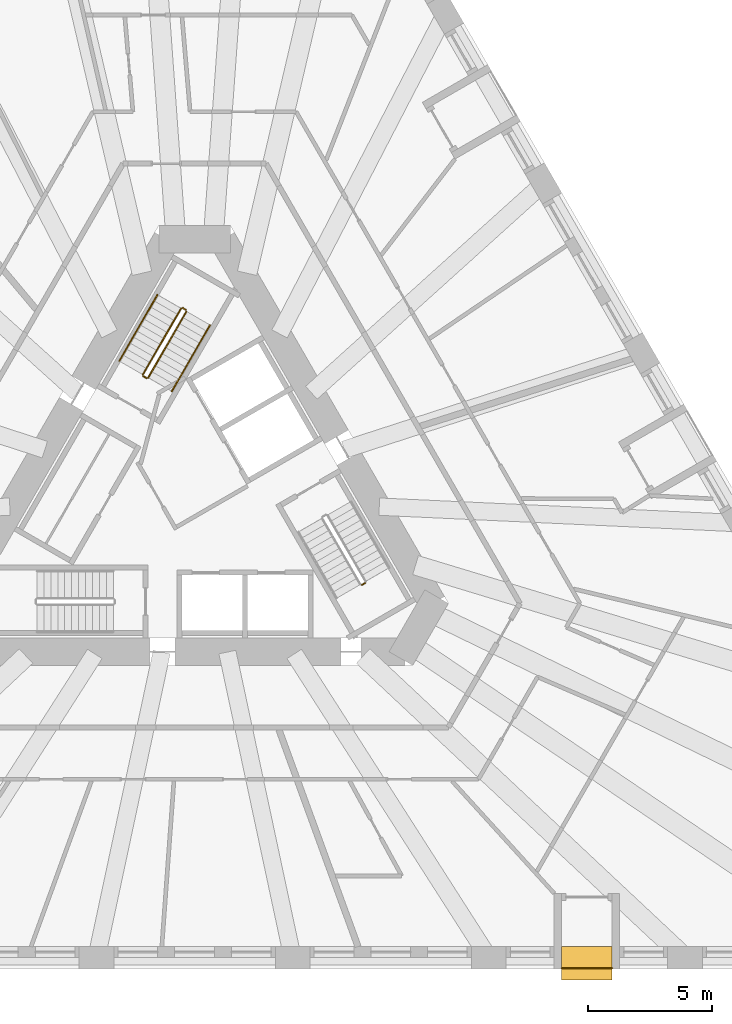
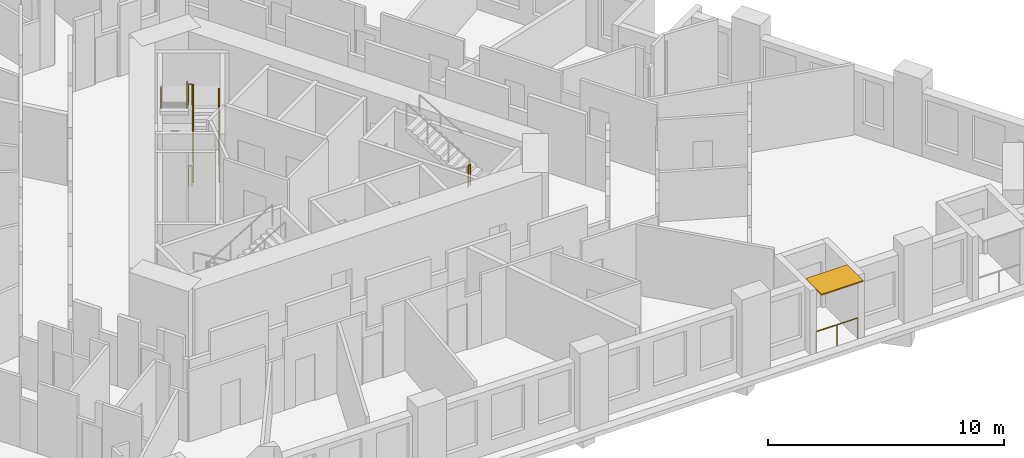
# One storey, part 12 of 14: 8 railings, 1 shading device.
"""IFC4 building model written with IfcOpenShell, lengths in metres."""

from ifc_helpers import new_model, si_unit, direction, frame, origin, origin_2d, place, context, subcontext, project, spatial, rectangle, circle, extrude, material, layer, layer_set, type_object, element, save


model = new_model("IFC4")

# Units and contexts
model_context = context("Model", 3, precision=1e-05, world=origin(), true_north=direction((0.0, 1.0)))
body_context = subcontext(model_context, "Body", "Model", "MODEL_VIEW")
ifc_project = project(units=[si_unit("LENGTHUNIT", "METRE"), si_unit("AREAUNIT", "SQUARE_METRE"), si_unit("VOLUMEUNIT", "CUBIC_METRE"), si_unit("PLANEANGLEUNIT", "RADIAN"), si_unit("MASSUNIT", "GRAM", prefix="KILO")], contexts=[model_context])

# Site, building, storey
site_placement = place(None, origin())
site = spatial("IfcSite", under=ifc_project, at=site_placement, CompositionType="ELEMENT")
building_placement = place(site_placement, origin())
building = spatial("IfcBuilding", under=site, at=building_placement, Name="Tramontana Tower", CompositionType="ELEMENT")
storey_placement = place(building_placement, frame((0.0, 0.0, 42.0)))
storey = spatial("IfcBuildingStorey", under=building, at=storey_placement, Name="L08", CompositionType="ELEMENT", Elevation=42.0)

# Railing
ifc_material_1 = material(Name="Laminated glass balustrade", Category="glass")
railing_type_1 = type_object("IfcRailingType", Name="GD1 Loggia glass balustrade 1100", PredefinedType="BALUSTRADE", material=ifc_material_1)
railing_1_placement = place(storey_placement, frame((14.816162109375, -18.969970703125, 0.0)))
element("IfcRailing", 1, at=railing_1_placement, inside=storey, type_object=railing_type_1, Name="Loggia balustrade L08 G0S1.16", PredefinedType="BALUSTRADE", context=body_context, shape_type="SweptSolid", body=[
    extrude(circle(Radius=0.02392578125, at=origin_2d()), frame((0.0, 0.0, 1.076171875), z_axis=(1.0, 0.0, 0.0), x_axis=(0.0, 1.0, 0.0)), (0.0, 0.0, 1.0), 2.039306640625),
    extrude(circle(Radius=0.02099609375, at=origin_2d()), origin(), (0.0, 0.0, 1.0), 1.052001953125),
    extrude(circle(Radius=0.02099609375, at=origin_2d()), frame((1.01953125, 0.0, 0.0)), (0.0, 0.0, 1.0), 1.052001953125),
    extrude(circle(Radius=0.02099609375, at=origin_2d()), frame((2.039306640625, 0.0, 0.0)), (0.0, 0.0, 1.0), 1.052001953125),
])

# Shading device
ifc_material_2 = material(Name="Precast concrete 60 MPa", Category="concrete")
ifc_layer = layer(ifc_material_2, 0.06005859375)
ifc_layer_set = layer_set([ifc_layer], Name="SS1 Stone sunshade blade 60")
shading_device_type = type_object("IfcShadingDeviceType", Name="SS1 Stone sunshade blade 60", PredefinedType="USERDEFINED", material=ifc_layer_set)
shading_device_placement = place(storey_placement, frame((15.8359375, -18.77490234375, 3.239990234375), z_axis=(0.0, 0.0, 1.0), x_axis=(1.0, 0.0, 0.0)))
element("IfcShadingDevice", 2, at=shading_device_placement, inside=storey, type_object=shading_device_type, Name="Sunshade L08 G0S1.16", ObjectType="SUNSHADE", PredefinedType="USERDEFINED", context=body_context, shape_type="SweptSolid", body=[
    extrude(rectangle(XDim=2.039306640625, YDim=1.35009765625, at=origin_2d()), origin(), (0.0, 0.0, 1.0), 0.06005859375),
])

# Railings
ifc_material_3 = material(Name="Painted steel", Category="steel")
railing_type_2 = type_object("IfcRailingType", Name="STAIR GUARD 1100", PredefinedType="GUARDRAIL", material=ifc_material_3)
railing_2_placement = place(storey_placement, frame((-1.867431640625, 4.865478515625, 0.166748046875)))
element("IfcRailing", 3, at=railing_2_placement, inside=storey, type_object=railing_type_2, Name="L08 ST1 stair guard 1", PredefinedType="GUARDRAIL", context=body_context, shape_type="SweptSolid", body=[
    extrude(circle(Radius=0.02392578125, at=origin_2d()), frame((0.0, 0.0, 1.076171875), z_axis=(0.429649414936, 0.744189839504, 0.511451721109), x_axis=(-0.866029832698, 0.499992328818, 0.0)), (0.0, 0.0, 1.0), 3.58447265625),
    extrude(circle(Radius=0.02099609375, at=origin_2d()), origin(), (0.0, 0.0, 1.0), 1.052001953125),
    extrude(circle(Radius=0.02099609375, at=origin_2d()), frame((0.513427734375, 0.88916015625, 0.611083984375)), (0.0, 0.0, 1.0), 1.052001953125),
    extrude(circle(Radius=0.02099609375, at=origin_2d()), frame((1.026611328125, 1.7783203125, 1.22216796875)), (0.0, 0.0, 1.0), 1.052001953125),
    extrude(circle(Radius=0.02099609375, at=origin_2d()), frame((1.5400390625, 2.66748046875, 1.833251953125)), (0.0, 0.0, 1.0), 1.052001953125),
])
railing_3_placement = place(storey_placement, frame((-0.5439453125, 7.657958984375, 2.166748046875)))
element("IfcRailing", 4, at=railing_3_placement, inside=storey, type_object=railing_type_2, Name="L08 ST1 stair guard 2", PredefinedType="GUARDRAIL", context=body_context, shape_type="SweptSolid", body=[
    extrude(circle(Radius=0.02392578125, at=origin_2d()), frame((0.0, 0.0, 1.076171875), z_axis=(-0.429649414936, -0.744189839504, 0.511451721109), x_axis=(0.866029832698, -0.499992328818, 0.0)), (0.0, 0.0, 1.0), 3.58447265625),
    extrude(circle(Radius=0.02099609375, at=origin_2d()), origin(), (0.0, 0.0, 1.0), 1.052001953125),
    extrude(circle(Radius=0.02099609375, at=origin_2d()), frame((-0.513427734375, -0.88916015625, 0.611083984375)), (0.0, 0.0, 1.0), 1.052001953125),
    extrude(circle(Radius=0.02099609375, at=origin_2d()), frame((-1.026611328125, -1.7783203125, 1.22216796875)), (0.0, 0.0, 1.0), 1.052001953125),
    extrude(circle(Radius=0.02099609375, at=origin_2d()), frame((-1.5400390625, -2.66748046875, 1.833251953125)), (0.0, 0.0, 1.0), 1.052001953125),
])
railing_4_placement = place(storey_placement, frame((-0.345703125, 7.601318359375, 2.0)))
element("IfcRailing", 5, at=railing_4_placement, inside=storey, type_object=railing_type_2, Name="L08 ST1 stair guard 3", PredefinedType="GUARDRAIL", context=body_context, shape_type="SweptSolid", body=[
    extrude(circle(Radius=0.02392578125, at=origin_2d()), frame((0.0, 0.0, 1.076171875), z_axis=(-0.866131372301, 0.499816412211, 0.0), x_axis=(-0.499816412211, -0.866131372301, 0.0)), (0.0, 0.0, 1.0), 0.14990234375),
    extrude(circle(Radius=0.02099609375, at=origin_2d()), origin(), (0.0, 0.0, 1.0), 1.052001953125),
    extrude(circle(Radius=0.02099609375, at=origin_2d()), frame((-0.1298828125, 0.074951171875, 0.0)), (0.0, 0.0, 1.0), 1.052001953125),
])
railing_5_placement = place(storey_placement, frame((-1.935791015625, 4.84716796875, 0.0)))
element("IfcRailing", 6, at=railing_5_placement, inside=storey, type_object=railing_type_2, Name="L08 ST1 stair guard 4", PredefinedType="GUARDRAIL", context=body_context, shape_type="SweptSolid", body=[
    extrude(circle(Radius=0.02392578125, at=origin_2d()), frame((0.0, 0.0, 1.076171875), z_axis=(-0.865426285481, 0.501036270542, 0.0), x_axis=(-0.501036270542, -0.865426285481, 0.0)), (0.0, 0.0, 1.0), 0.150146484375),
    extrude(circle(Radius=0.02099609375, at=origin_2d()), origin(), (0.0, 0.0, 1.0), 1.052001953125),
    extrude(circle(Radius=0.02099609375, at=origin_2d()), frame((-0.1298828125, 0.0751953125, 0.0)), (0.0, 0.0, 1.0), 1.052001953125),
])
railing_6_placement = place(storey_placement, frame((6.755615234375, -3.501220703125, 2.0)))
element("IfcRailing", 7, at=railing_6_placement, inside=storey, type_object=railing_type_2, Name="L08 ST3 stair guard 3", PredefinedType="GUARDRAIL", context=body_context, shape_type="SweptSolid", body=[
    extrude(circle(Radius=0.02392578125, at=origin_2d()), frame((0.0, 0.0, 1.076171875), z_axis=(0.866131372301, 0.499816412211, 0.0), x_axis=(-0.499816412211, 0.866131372301, 0.0)), (0.0, 0.0, 1.0), 0.14990234375),
    extrude(circle(Radius=0.02099609375, at=origin_2d()), origin(), (0.0, 0.0, 1.0), 1.052001953125),
    extrude(circle(Radius=0.02099609375, at=origin_2d()), frame((0.1298828125, 0.074951171875, 0.0)), (0.0, 0.0, 1.0), 1.052001953125),
])
ifc_material_4 = material(Name="Painted steel", Category="steel")
railing_type_3 = type_object("IfcRailingType", Name="STAIR HANDRAIL 900", PredefinedType="HANDRAIL", material=ifc_material_4)
railing_7_placement = place(storey_placement, frame((-0.914794921875, 4.315673828125, 0.166748046875)))
element("IfcRailing", 8, at=railing_7_placement, inside=storey, type_object=railing_type_3, Name="L08 ST1 stair handrail 1", PredefinedType="HANDRAIL", context=body_context, shape_type="SweptSolid", body=[
    extrude(circle(Radius=0.02392578125, at=origin_2d()), frame((0.0, 0.0, 0.8759765625), z_axis=(0.429671193721, 0.744159446956, 0.511477646425), x_axis=(-0.866010015463, 0.500026652407, 0.0)), (0.0, 0.0, 1.0), 3.584228515625),
    extrude(circle(Radius=0.02099609375, at=origin_2d()), origin(), (0.0, 0.0, 1.0), 0.851806640625),
    extrude(circle(Radius=0.02099609375, at=origin_2d()), frame((0.513427734375, 0.88916015625, 0.611083984375)), (0.0, 0.0, 1.0), 0.851806640625),
    extrude(circle(Radius=0.02099609375, at=origin_2d()), frame((1.026611328125, 1.778076171875, 1.22216796875)), (0.0, 0.0, 1.0), 0.851806640625),
    extrude(circle(Radius=0.02099609375, at=origin_2d()), frame((1.5400390625, 2.667236328125, 1.833251953125)), (0.0, 0.0, 1.0), 0.851806640625),
])
railing_8_placement = place(storey_placement, frame((-1.49658203125, 8.2080078125, 2.166748046875)))
element("IfcRailing", 9, at=railing_8_placement, inside=storey, type_object=railing_type_3, Name="L08 ST1 stair handrail 2", PredefinedType="HANDRAIL", context=body_context, shape_type="SweptSolid", body=[
    extrude(circle(Radius=0.02392578125, at=origin_2d()), frame((0.0, 0.0, 0.8759765625), z_axis=(-0.429649414936, -0.744189839504, 0.511451721109), x_axis=(0.866029832698, -0.499992328818, 0.0)), (0.0, 0.0, 1.0), 3.58447265625),
    extrude(circle(Radius=0.02099609375, at=origin_2d()), origin(), (0.0, 0.0, 1.0), 0.851806640625),
    extrude(circle(Radius=0.02099609375, at=origin_2d()), frame((-0.513427734375, -0.88916015625, 0.611083984375)), (0.0, 0.0, 1.0), 0.851806640625),
    extrude(circle(Radius=0.02099609375, at=origin_2d()), frame((-1.026611328125, -1.7783203125, 1.22216796875)), (0.0, 0.0, 1.0), 0.851806640625),
    extrude(circle(Radius=0.02099609375, at=origin_2d()), frame((-1.5400390625, -2.66748046875, 1.833251953125)), (0.0, 0.0, 1.0), 0.851806640625),
])

save(model, "model.ifc")
